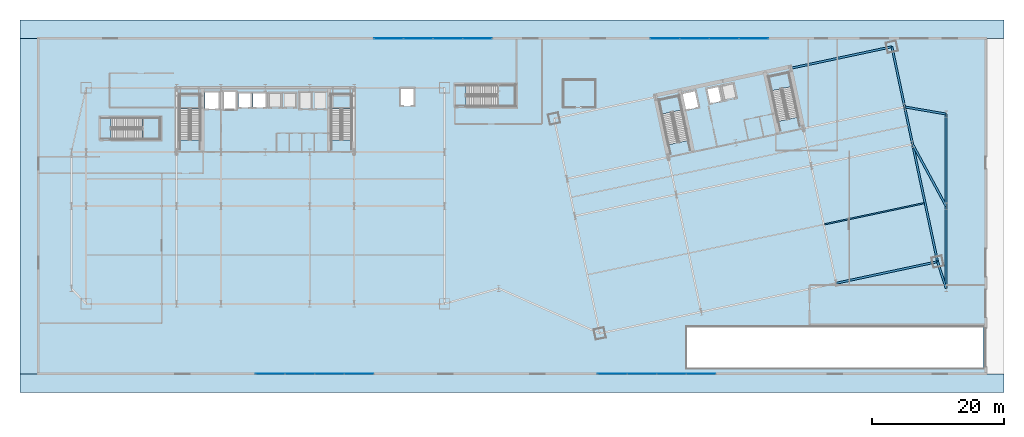
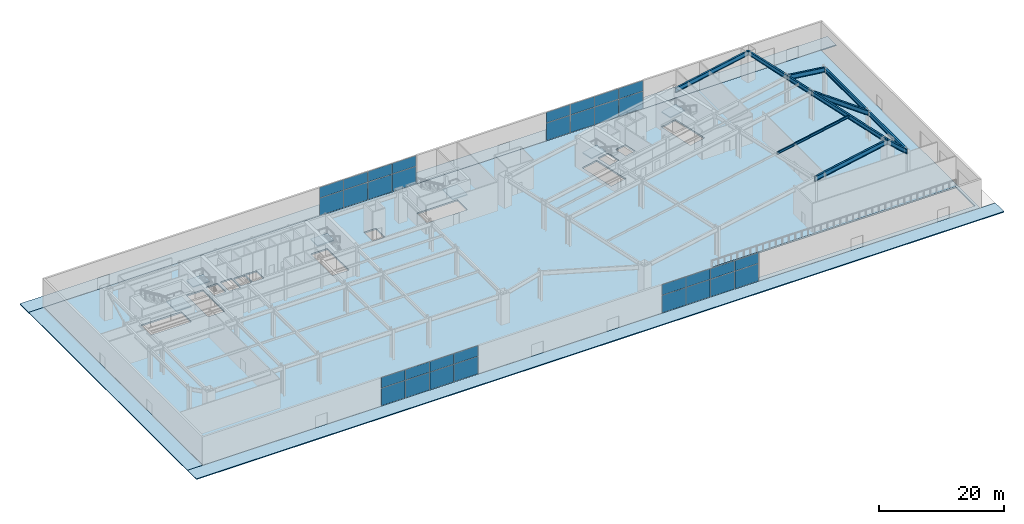
# One storey, part 18 of 30: 32 plates, 11 beams, 10 slabs, 10 elements without a shape of their own.
"""IFC4 building model written with IfcOpenShell, lengths in metres."""

from ifc_helpers import new_model, si_unit, direction, frame, origin, origin_2d, place, context, subcontext, project, spatial, polyline, rectangle, i_section, outline, extrude, material, layer, layer_set, material_profile, profile_set, type_object, element, aggregate, save


model = new_model("IFC4")

# Units and contexts
model_context = context("Model", 3, precision=1e-05, world=origin(), true_north=direction((0.0, 1.0)))
body_context = subcontext(model_context, "Body", "Model", "MODEL_VIEW")
ifc_project = project(units=[si_unit("LENGTHUNIT", "METRE"), si_unit("AREAUNIT", "SQUARE_METRE"), si_unit("VOLUMEUNIT", "CUBIC_METRE"), si_unit("PLANEANGLEUNIT", "RADIAN"), si_unit("MASSUNIT", "GRAM", prefix="KILO")], contexts=[model_context])

# Site, building, storey
site_placement = place(None, origin())
site = spatial("IfcSite", under=ifc_project, at=site_placement, CompositionType="ELEMENT")
building_placement = place(site_placement, origin())
building = spatial("IfcBuilding", under=site, at=building_placement, Name="Haevon Station Towers", CompositionType="ELEMENT")
storey_placement = place(building_placement, origin())
storey = spatial("IfcBuildingStorey", under=building, at=storey_placement, Name="L00", CompositionType="ELEMENT", Elevation=0.0)

# Beams
ifc_material_1 = material(Name="Steel S355", Category="steel")
ifc_material_profile_1 = material_profile(ifc_material_1, i_section(OverallWidth=0.199951171875, OverallDepth=0.449951171875, WebThickness=0.009033203125, FlangeThickness=0.013916015625, at=origin_2d()), Name="H-450x200x9x14")
ifc_profile_set_1 = profile_set([ifc_material_profile_1], Name="Steel S355")
beam_type_1 = type_object("IfcBeamType", Name="BM-J450", PredefinedType="JOIST", material=ifc_profile_set_1)
beam_1_placement = place(storey_placement, frame((122.504150390625, 27.232666015625, 5.47509765625), z_axis=(0.978149141128, 0.207904443699, 0.0), x_axis=(-0.207904443699, 0.978149141128, 0.0)))
element("IfcBeam", 1, at=beam_1_placement, inside=storey, type_object=beam_type_1, Name="BM-T2J-L00-01-03", PredefinedType="JOIST", context=body_context, shape_type="SweptSolid", body=[
    extrude(i_section(OverallWidth=0.199951171875, OverallDepth=0.449951171875, WebThickness=0.009033203125, FlangeThickness=0.013916015625, at=origin_2d()), origin(), (0.0, 0.0, 1.0), 15.530029296875),
])
ifc_material_profile_2 = material_profile(ifc_material_1, i_section(OverallWidth=0.300048828125, OverallDepth=0.800048828125, WebThickness=0.013916015625, FlangeThickness=0.02587890625, at=origin_2d()), Name="H-800x300x14x26")
ifc_profile_set_2 = profile_set([ifc_material_profile_2], Name="Steel S355")
beam_type_2 = type_object("IfcBeamType", Name="BM-PG800", PredefinedType="BEAM", material=ifc_profile_set_2)
beam_2_placement = place(storey_placement, frame((139.699462890625, 21.558837890625, 5.300048828125), z_axis=(-0.207902594577, 0.978149534155, 0.0), x_axis=(-0.978149534155, -0.207902594577, 0.0)))
element("IfcBeam", 2, at=beam_2_placement, inside=storey, type_object=beam_type_2, Name="BM-T2V-L00-05-01", PredefinedType="BEAM", context=body_context, shape_type="SweptSolid", body=[
    extrude(i_section(OverallWidth=0.300048828125, OverallDepth=0.800048828125, WebThickness=0.013916015625, FlangeThickness=0.02587890625, at=origin_2d()), origin(), (0.0, 0.0, 1.0), 18.249755859375),
])
beam_3_placement = place(storey_placement, frame((135.9052734375, 39.409912109375, 5.300048828125), z_axis=(-0.207936282142, 0.978142373363, 0.0), x_axis=(-0.978142373363, -0.207936282142, 0.0)))
element("IfcBeam", 3, at=beam_3_placement, inside=storey, type_object=beam_type_2, Name="BM-T2V-L00-05-02", PredefinedType="BEAM", context=body_context, shape_type="SweptSolid", body=[
    extrude(i_section(OverallWidth=0.300048828125, OverallDepth=0.800048828125, WebThickness=0.013916015625, FlangeThickness=0.02587890625, at=origin_2d()), origin(), (0.0, 0.0, 1.0), 5.800048828125),
])
beam_4_placement = place(storey_placement, frame((134.69921875, 45.083251953125, 5.300048828125), z_axis=(-0.207902477038, 0.978149559138, 0.0), x_axis=(-0.978149559138, -0.207902477038, 0.0)))
element("IfcBeam", 4, at=beam_4_placement, inside=storey, type_object=beam_type_2, Name="BM-T2V-L00-05-03", PredefinedType="BEAM", context=body_context, shape_type="SweptSolid", body=[
    extrude(i_section(OverallWidth=0.300048828125, OverallDepth=0.800048828125, WebThickness=0.013916015625, FlangeThickness=0.02587890625, at=origin_2d()), origin(), (0.0, 0.0, 1.0), 9.349853515625),
])
beam_5_placement = place(storey_placement, frame((141.0, 17.5, 5.300048828125), z_axis=(0.0, 1.0, 0.0), x_axis=(-1.0, 0.0, 0.0)))
element("IfcBeam", 5, at=beam_5_placement, inside=storey, type_object=beam_type_2, Name="BM-PODNS-L00-E1", PredefinedType="BEAM", context=body_context, shape_type="SweptSolid", body=[
    extrude(i_section(OverallWidth=0.300048828125, OverallDepth=0.800048828125, WebThickness=0.013916015625, FlangeThickness=0.02587890625, at=origin_2d()), origin(), (0.0, 0.0, 1.0), 12.5),
])
beam_6_placement = place(storey_placement, frame((141.0, 30.0, 5.300048828125), z_axis=(0.0, 1.0, 0.0), x_axis=(-1.0, 0.0, 0.0)))
element("IfcBeam", 6, at=beam_6_placement, inside=storey, type_object=beam_type_2, Name="BM-PODNS-L00-E2", PredefinedType="BEAM", context=body_context, shape_type="SweptSolid", body=[
    extrude(i_section(OverallWidth=0.300048828125, OverallDepth=0.800048828125, WebThickness=0.013916015625, FlangeThickness=0.02587890625, at=origin_2d()), origin(), (0.0, 0.0, 1.0), 14.0),
])
ifc_material_profile_3 = material_profile(ifc_material_1, i_section(OverallWidth=0.300048828125, OverallDepth=0.89990234375, WebThickness=0.01611328125, FlangeThickness=0.028076171875, at=origin_2d()), Name="H-900x300x16x28")
ifc_profile_set_3 = profile_set([ifc_material_profile_3], Name="Steel S355")
beam_type_3 = type_object("IfcBeamType", Name="BM-PG900", PredefinedType="BEAM", material=ifc_profile_set_3)
beam_7_placement = place(storey_placement, frame((124.293701171875, 18.2841796875, 5.25), z_axis=(0.978146794194, 0.207915485254, 0.0), x_axis=(-0.207915485254, 0.978146794194, 0.0)))
element("IfcBeam", 7, at=beam_7_placement, inside=storey, type_object=beam_type_3, Name="BM-T2U-L00-01-04", PredefinedType="BEAM", context=body_context, shape_type="SweptSolid", body=[
    extrude(i_section(OverallWidth=0.300048828125, OverallDepth=0.89990234375, WebThickness=0.01611328125, FlangeThickness=0.028076171875, at=origin_2d()), origin(), (0.0, 0.0, 1.0), 15.75),
])
beam_8_placement = place(storey_placement, frame((117.349365234375, 50.954345703125, 5.25), z_axis=(0.978150616551, 0.207897502008, 0.0), x_axis=(-0.207897502008, 0.978150616551, 0.0)))
element("IfcBeam", 8, at=beam_8_placement, inside=storey, type_object=beam_type_3, Name="BM-T2U-L00-04-04", PredefinedType="BEAM", context=body_context, shape_type="SweptSolid", body=[
    extrude(i_section(OverallWidth=0.300048828125, OverallDepth=0.89990234375, WebThickness=0.01611328125, FlangeThickness=0.028076171875, at=origin_2d()), origin(), (0.0, 0.0, 1.0), 15.750244140625),
])
beam_9_placement = place(storey_placement, frame((139.699462890625, 21.558837890625, 5.25), z_axis=(0.305139430983, -0.952307685393, 0.0), x_axis=(0.952307685393, 0.305139430983, 0.0)))
element("IfcBeam", 9, at=beam_9_placement, inside=storey, type_object=beam_type_3, Name="BM-PODE-L00-1", PredefinedType="BEAM", context=body_context, shape_type="SweptSolid", body=[
    extrude(i_section(OverallWidth=0.300048828125, OverallDepth=0.89990234375, WebThickness=0.01611328125, FlangeThickness=0.028076171875, at=origin_2d()), origin(), (0.0, 0.0, 1.0), 4.26220703125),
])
beam_10_placement = place(storey_placement, frame((135.9052734375, 39.409912109375, 5.25), z_axis=(0.476116295025, -0.879382325051, 0.0), x_axis=(0.879382325051, 0.476116295025, 0.0)))
element("IfcBeam", 10, at=beam_10_placement, inside=storey, type_object=beam_type_3, Name="BM-PODE-L00-2", PredefinedType="BEAM", context=body_context, shape_type="SweptSolid", body=[
    extrude(i_section(OverallWidth=0.300048828125, OverallDepth=0.89990234375, WebThickness=0.01611328125, FlangeThickness=0.028076171875, at=origin_2d()), origin(), (0.0, 0.0, 1.0), 10.70068359375),
])
beam_11_placement = place(storey_placement, frame((134.69921875, 45.083251953125, 5.25), z_axis=(0.985540920751, -0.169437580028, 0.0), x_axis=(0.169437580028, 0.985540920751, 0.0)))
element("IfcBeam", 11, at=beam_11_placement, inside=storey, type_object=beam_type_3, Name="BM-PODE-L00-3", PredefinedType="BEAM", context=body_context, shape_type="SweptSolid", body=[
    extrude(i_section(OverallWidth=0.300048828125, OverallDepth=0.89990234375, WebThickness=0.01611328125, FlangeThickness=0.028076171875, at=origin_2d()), origin(), (0.0, 0.0, 1.0), 6.393310546875),
])

# Curtain wall, plates
ifc_material_2 = material(Name="Anodised aluminium and Low-E double glazing", Category="aluminium")
ifc_layer_1 = layer(ifc_material_2, 0.179931640625)
ifc_layer_set_1 = layer_set([ifc_layer_1], Name="Anodised aluminium and Low-E double glazing")
curtain_wall_type = type_object("IfcCurtainWallType", Name="CW-SYS1", PredefinedType="NOTDEFINED", material=ifc_layer_set_1)
curtain_wall_1_placement = place(storey_placement, origin())
curtain_wall_1 = element("IfcCurtainWall", 12, at=curtain_wall_1_placement, inside=storey, type_object=curtain_wall_type, Name="L00 Curtain Wall CW-POD-L00-S1", PredefinedType="NOTDEFINED")
ifc_material_3 = material(Name="Laminated acoustic double glazing", Category="glass")
ifc_layer_2 = layer(ifc_material_3, 0.031982421875)
ifc_layer_set_2 = layer_set([ifc_layer_2], Name="Laminated acoustic double glazing")
plate_type = type_object("IfcPlateType", Name="CWP-GLZ32", PredefinedType="CURTAIN_PANEL", material=ifc_layer_set_2)
plate_1_placement = place(storey_placement, frame((103.733642578125, 4.5, 0.06494140625), z_axis=(0.0, 0.0, 1.0), x_axis=(-1.0, 0.0, 0.0)))
plate_1 = element("IfcPlate", 13, at=plate_1_placement, type_object=plate_type, Name="CW-SYS1 panel 1.1", PredefinedType="CURTAIN_PANEL", context=body_context, shape_type="SweptSolid", body=[
    extrude(rectangle(XDim=4.402587890625, YDim=0.031982421875, at=origin_2d()), origin(), (0.0, 0.0, 1.0), 3.405517578125),
])
plate_2_placement = place(storey_placement, frame((103.733642578125, 4.5, 3.53564453125), z_axis=(0.0, 0.0, 1.0), x_axis=(-1.0, 0.0, 0.0)))
plate_2 = element("IfcPlate", 14, at=plate_2_placement, type_object=plate_type, Name="CW-SYS1 panel 1.2", PredefinedType="CURTAIN_PANEL", context=body_context, shape_type="SweptSolid", body=[
    extrude(rectangle(XDim=4.402587890625, YDim=0.031982421875, at=origin_2d()), origin(), (0.0, 0.0, 1.0), 2.049560546875),
])
plate_3_placement = place(storey_placement, frame((99.25, 4.5, 0.06494140625), z_axis=(0.0, 0.0, 1.0), x_axis=(-1.0, 0.0, 0.0)))
plate_3 = element("IfcPlate", 15, at=plate_3_placement, type_object=plate_type, Name="CW-SYS1 panel 2.1", PredefinedType="CURTAIN_PANEL", context=body_context, shape_type="SweptSolid", body=[
    extrude(rectangle(XDim=4.43505859375, YDim=0.031982421875, at=origin_2d()), origin(), (0.0, 0.0, 1.0), 3.405517578125),
])
plate_4_placement = place(storey_placement, frame((99.25, 4.5, 3.53564453125), z_axis=(0.0, 0.0, 1.0), x_axis=(-1.0, 0.0, 0.0)))
plate_4 = element("IfcPlate", 16, at=plate_4_placement, type_object=plate_type, Name="CW-SYS1 panel 2.2", PredefinedType="CURTAIN_PANEL", context=body_context, shape_type="SweptSolid", body=[
    extrude(rectangle(XDim=4.43505859375, YDim=0.031982421875, at=origin_2d()), origin(), (0.0, 0.0, 1.0), 2.049560546875),
])
plate_5_placement = place(storey_placement, frame((94.75, 4.5, 0.06494140625), z_axis=(0.0, 0.0, 1.0), x_axis=(-1.0, 0.0, 0.0)))
plate_5 = element("IfcPlate", 17, at=plate_5_placement, type_object=plate_type, Name="CW-SYS1 panel 3.1", PredefinedType="CURTAIN_PANEL", context=body_context, shape_type="SweptSolid", body=[
    extrude(rectangle(XDim=4.43505859375, YDim=0.031982421875, at=origin_2d()), origin(), (0.0, 0.0, 1.0), 3.405517578125),
])
plate_6_placement = place(storey_placement, frame((94.75, 4.5, 3.53564453125), z_axis=(0.0, 0.0, 1.0), x_axis=(-1.0, 0.0, 0.0)))
plate_6 = element("IfcPlate", 18, at=plate_6_placement, type_object=plate_type, Name="CW-SYS1 panel 3.2", PredefinedType="CURTAIN_PANEL", context=body_context, shape_type="SweptSolid", body=[
    extrude(rectangle(XDim=4.43505859375, YDim=0.031982421875, at=origin_2d()), origin(), (0.0, 0.0, 1.0), 2.049560546875),
])
plate_7_placement = place(storey_placement, frame((90.266357421875, 4.5, 0.06494140625), z_axis=(0.0, 0.0, 1.0), x_axis=(-1.0, 0.0, 0.0)))
plate_7 = element("IfcPlate", 19, at=plate_7_placement, type_object=plate_type, Name="CW-SYS1 panel 4.1", PredefinedType="CURTAIN_PANEL", context=body_context, shape_type="SweptSolid", body=[
    extrude(rectangle(XDim=4.402587890625, YDim=0.031982421875, at=origin_2d()), origin(), (0.0, 0.0, 1.0), 3.405517578125),
])
plate_8_placement = place(storey_placement, frame((90.266357421875, 4.5, 3.53564453125), z_axis=(0.0, 0.0, 1.0), x_axis=(-1.0, 0.0, 0.0)))
plate_8 = element("IfcPlate", 20, at=plate_8_placement, type_object=plate_type, Name="CW-SYS1 panel 4.2", PredefinedType="CURTAIN_PANEL", context=body_context, shape_type="SweptSolid", body=[
    extrude(rectangle(XDim=4.402587890625, YDim=0.031982421875, at=origin_2d()), origin(), (0.0, 0.0, 1.0), 2.049560546875),
])
aggregate(curtain_wall_1, [plate_1, plate_2, plate_3, plate_4, plate_5, plate_6, plate_7, plate_8])

curtain_wall_2_placement = place(storey_placement, origin())
curtain_wall_2 = element("IfcCurtainWall", 21, at=curtain_wall_2_placement, inside=storey, type_object=curtain_wall_type, Name="L00 Curtain Wall CW-POD-L00-S2", PredefinedType="NOTDEFINED")
plate_9_placement = place(storey_placement, frame((51.733642578125, 4.5, 0.06494140625), z_axis=(0.0, 0.0, 1.0), x_axis=(-1.0, 0.0, 0.0)))
plate_9 = element("IfcPlate", 22, at=plate_9_placement, type_object=plate_type, Name="CW-SYS1 panel 1.1", PredefinedType="CURTAIN_PANEL", context=body_context, shape_type="SweptSolid", body=[
    extrude(rectangle(XDim=4.402587890625, YDim=0.031982421875, at=origin_2d()), origin(), (0.0, 0.0, 1.0), 3.405517578125),
])
plate_10_placement = place(storey_placement, frame((51.733642578125, 4.5, 3.53564453125), z_axis=(0.0, 0.0, 1.0), x_axis=(-1.0, 0.0, 0.0)))
plate_10 = element("IfcPlate", 23, at=plate_10_placement, type_object=plate_type, Name="CW-SYS1 panel 1.2", PredefinedType="CURTAIN_PANEL", context=body_context, shape_type="SweptSolid", body=[
    extrude(rectangle(XDim=4.402587890625, YDim=0.031982421875, at=origin_2d()), origin(), (0.0, 0.0, 1.0), 2.049560546875),
])
plate_11_placement = place(storey_placement, frame((47.25, 4.5, 0.06494140625), z_axis=(0.0, 0.0, 1.0), x_axis=(-1.0, 0.0, 0.0)))
plate_11 = element("IfcPlate", 24, at=plate_11_placement, type_object=plate_type, Name="CW-SYS1 panel 2.1", PredefinedType="CURTAIN_PANEL", context=body_context, shape_type="SweptSolid", body=[
    extrude(rectangle(XDim=4.43505859375, YDim=0.031982421875, at=origin_2d()), origin(), (0.0, 0.0, 1.0), 3.405517578125),
])
plate_12_placement = place(storey_placement, frame((47.25, 4.5, 3.53564453125), z_axis=(0.0, 0.0, 1.0), x_axis=(-1.0, 0.0, 0.0)))
plate_12 = element("IfcPlate", 25, at=plate_12_placement, type_object=plate_type, Name="CW-SYS1 panel 2.2", PredefinedType="CURTAIN_PANEL", context=body_context, shape_type="SweptSolid", body=[
    extrude(rectangle(XDim=4.43505859375, YDim=0.031982421875, at=origin_2d()), origin(), (0.0, 0.0, 1.0), 2.049560546875),
])
plate_13_placement = place(storey_placement, frame((42.75, 4.5, 0.06494140625), z_axis=(0.0, 0.0, 1.0), x_axis=(-1.0, 0.0, 0.0)))
plate_13 = element("IfcPlate", 26, at=plate_13_placement, type_object=plate_type, Name="CW-SYS1 panel 3.1", PredefinedType="CURTAIN_PANEL", context=body_context, shape_type="SweptSolid", body=[
    extrude(rectangle(XDim=4.43505859375, YDim=0.031982421875, at=origin_2d()), origin(), (0.0, 0.0, 1.0), 3.405517578125),
])
plate_14_placement = place(storey_placement, frame((42.75, 4.5, 3.53564453125), z_axis=(0.0, 0.0, 1.0), x_axis=(-1.0, 0.0, 0.0)))
plate_14 = element("IfcPlate", 27, at=plate_14_placement, type_object=plate_type, Name="CW-SYS1 panel 3.2", PredefinedType="CURTAIN_PANEL", context=body_context, shape_type="SweptSolid", body=[
    extrude(rectangle(XDim=4.43505859375, YDim=0.031982421875, at=origin_2d()), origin(), (0.0, 0.0, 1.0), 2.049560546875),
])
plate_15_placement = place(storey_placement, frame((38.266357421875, 4.5, 0.06494140625), z_axis=(0.0, 0.0, 1.0), x_axis=(-1.0, 0.0, 0.0)))
plate_15 = element("IfcPlate", 28, at=plate_15_placement, type_object=plate_type, Name="CW-SYS1 panel 4.1", PredefinedType="CURTAIN_PANEL", context=body_context, shape_type="SweptSolid", body=[
    extrude(rectangle(XDim=4.402587890625, YDim=0.031982421875, at=origin_2d()), origin(), (0.0, 0.0, 1.0), 3.405517578125),
])
plate_16_placement = place(storey_placement, frame((38.266357421875, 4.5, 3.53564453125), z_axis=(0.0, 0.0, 1.0), x_axis=(-1.0, 0.0, 0.0)))
plate_16 = element("IfcPlate", 29, at=plate_16_placement, type_object=plate_type, Name="CW-SYS1 panel 4.2", PredefinedType="CURTAIN_PANEL", context=body_context, shape_type="SweptSolid", body=[
    extrude(rectangle(XDim=4.402587890625, YDim=0.031982421875, at=origin_2d()), origin(), (0.0, 0.0, 1.0), 2.049560546875),
])
aggregate(curtain_wall_2, [plate_9, plate_10, plate_11, plate_12, plate_13, plate_14, plate_15, plate_16])

curtain_wall_3_placement = place(storey_placement, origin())
curtain_wall_3 = element("IfcCurtainWall", 30, at=curtain_wall_3_placement, inside=storey, type_object=curtain_wall_type, Name="L00 Curtain Wall CW-POD-L00-N1", PredefinedType="NOTDEFINED")
plate_17_placement = place(storey_placement, frame((56.266357421875, 55.5, 0.06494140625), z_axis=(0.0, 0.0, 1.0), x_axis=(1.0, 0.0, 0.0)))
plate_17 = element("IfcPlate", 31, at=plate_17_placement, type_object=plate_type, Name="CW-SYS1 panel 1.1", PredefinedType="CURTAIN_PANEL", context=body_context, shape_type="SweptSolid", body=[
    extrude(rectangle(XDim=4.402587890625, YDim=0.031982421875, at=origin_2d()), origin(), (0.0, 0.0, 1.0), 3.405517578125),
])
plate_18_placement = place(storey_placement, frame((56.266357421875, 55.5, 3.53564453125), z_axis=(0.0, 0.0, 1.0), x_axis=(1.0, 0.0, 0.0)))
plate_18 = element("IfcPlate", 32, at=plate_18_placement, type_object=plate_type, Name="CW-SYS1 panel 1.2", PredefinedType="CURTAIN_PANEL", context=body_context, shape_type="SweptSolid", body=[
    extrude(rectangle(XDim=4.402587890625, YDim=0.031982421875, at=origin_2d()), origin(), (0.0, 0.0, 1.0), 2.049560546875),
])
plate_19_placement = place(storey_placement, frame((60.75, 55.5, 0.06494140625), z_axis=(0.0, 0.0, 1.0), x_axis=(1.0, 0.0, 0.0)))
plate_19 = element("IfcPlate", 33, at=plate_19_placement, type_object=plate_type, Name="CW-SYS1 panel 2.1", PredefinedType="CURTAIN_PANEL", context=body_context, shape_type="SweptSolid", body=[
    extrude(rectangle(XDim=4.43505859375, YDim=0.031982421875, at=origin_2d()), origin(), (0.0, 0.0, 1.0), 3.405517578125),
])
plate_20_placement = place(storey_placement, frame((60.75, 55.5, 3.53564453125), z_axis=(0.0, 0.0, 1.0), x_axis=(1.0, 0.0, 0.0)))
plate_20 = element("IfcPlate", 34, at=plate_20_placement, type_object=plate_type, Name="CW-SYS1 panel 2.2", PredefinedType="CURTAIN_PANEL", context=body_context, shape_type="SweptSolid", body=[
    extrude(rectangle(XDim=4.43505859375, YDim=0.031982421875, at=origin_2d()), origin(), (0.0, 0.0, 1.0), 2.049560546875),
])
plate_21_placement = place(storey_placement, frame((65.25, 55.5, 0.06494140625), z_axis=(0.0, 0.0, 1.0), x_axis=(1.0, 0.0, 0.0)))
plate_21 = element("IfcPlate", 35, at=plate_21_placement, type_object=plate_type, Name="CW-SYS1 panel 3.1", PredefinedType="CURTAIN_PANEL", context=body_context, shape_type="SweptSolid", body=[
    extrude(rectangle(XDim=4.43505859375, YDim=0.031982421875, at=origin_2d()), origin(), (0.0, 0.0, 1.0), 3.405517578125),
])
plate_22_placement = place(storey_placement, frame((65.25, 55.5, 3.53564453125), z_axis=(0.0, 0.0, 1.0), x_axis=(1.0, 0.0, 0.0)))
plate_22 = element("IfcPlate", 36, at=plate_22_placement, type_object=plate_type, Name="CW-SYS1 panel 3.2", PredefinedType="CURTAIN_PANEL", context=body_context, shape_type="SweptSolid", body=[
    extrude(rectangle(XDim=4.43505859375, YDim=0.031982421875, at=origin_2d()), origin(), (0.0, 0.0, 1.0), 2.049560546875),
])
plate_23_placement = place(storey_placement, frame((69.733642578125, 55.5, 0.06494140625), z_axis=(0.0, 0.0, 1.0), x_axis=(1.0, 0.0, 0.0)))
plate_23 = element("IfcPlate", 37, at=plate_23_placement, type_object=plate_type, Name="CW-SYS1 panel 4.1", PredefinedType="CURTAIN_PANEL", context=body_context, shape_type="SweptSolid", body=[
    extrude(rectangle(XDim=4.402587890625, YDim=0.031982421875, at=origin_2d()), origin(), (0.0, 0.0, 1.0), 3.405517578125),
])
plate_24_placement = place(storey_placement, frame((69.733642578125, 55.5, 3.53564453125), z_axis=(0.0, 0.0, 1.0), x_axis=(1.0, 0.0, 0.0)))
plate_24 = element("IfcPlate", 38, at=plate_24_placement, type_object=plate_type, Name="CW-SYS1 panel 4.2", PredefinedType="CURTAIN_PANEL", context=body_context, shape_type="SweptSolid", body=[
    extrude(rectangle(XDim=4.402587890625, YDim=0.031982421875, at=origin_2d()), origin(), (0.0, 0.0, 1.0), 2.049560546875),
])
aggregate(curtain_wall_3, [plate_17, plate_18, plate_19, plate_20, plate_21, plate_22, plate_23, plate_24])

curtain_wall_4_placement = place(storey_placement, origin())
curtain_wall_4 = element("IfcCurtainWall", 39, at=curtain_wall_4_placement, inside=storey, type_object=curtain_wall_type, Name="L00 Curtain Wall CW-POD-L00-N2", PredefinedType="NOTDEFINED")
plate_25_placement = place(storey_placement, frame((98.266357421875, 55.5, 0.06494140625), z_axis=(0.0, 0.0, 1.0), x_axis=(1.0, 0.0, 0.0)))
plate_25 = element("IfcPlate", 40, at=plate_25_placement, type_object=plate_type, Name="CW-SYS1 panel 1.1", PredefinedType="CURTAIN_PANEL", context=body_context, shape_type="SweptSolid", body=[
    extrude(rectangle(XDim=4.402587890625, YDim=0.031982421875, at=origin_2d()), origin(), (0.0, 0.0, 1.0), 3.405517578125),
])
plate_26_placement = place(storey_placement, frame((98.266357421875, 55.5, 3.53564453125), z_axis=(0.0, 0.0, 1.0), x_axis=(1.0, 0.0, 0.0)))
plate_26 = element("IfcPlate", 41, at=plate_26_placement, type_object=plate_type, Name="CW-SYS1 panel 1.2", PredefinedType="CURTAIN_PANEL", context=body_context, shape_type="SweptSolid", body=[
    extrude(rectangle(XDim=4.402587890625, YDim=0.031982421875, at=origin_2d()), origin(), (0.0, 0.0, 1.0), 2.049560546875),
])
plate_27_placement = place(storey_placement, frame((102.75, 55.5, 0.06494140625), z_axis=(0.0, 0.0, 1.0), x_axis=(1.0, 0.0, 0.0)))
plate_27 = element("IfcPlate", 42, at=plate_27_placement, type_object=plate_type, Name="CW-SYS1 panel 2.1", PredefinedType="CURTAIN_PANEL", context=body_context, shape_type="SweptSolid", body=[
    extrude(rectangle(XDim=4.43505859375, YDim=0.031982421875, at=origin_2d()), origin(), (0.0, 0.0, 1.0), 3.405517578125),
])
plate_28_placement = place(storey_placement, frame((102.75, 55.5, 3.53564453125), z_axis=(0.0, 0.0, 1.0), x_axis=(1.0, 0.0, 0.0)))
plate_28 = element("IfcPlate", 43, at=plate_28_placement, type_object=plate_type, Name="CW-SYS1 panel 2.2", PredefinedType="CURTAIN_PANEL", context=body_context, shape_type="SweptSolid", body=[
    extrude(rectangle(XDim=4.43505859375, YDim=0.031982421875, at=origin_2d()), origin(), (0.0, 0.0, 1.0), 2.049560546875),
])
plate_29_placement = place(storey_placement, frame((107.25, 55.5, 0.06494140625), z_axis=(0.0, 0.0, 1.0), x_axis=(1.0, 0.0, 0.0)))
plate_29 = element("IfcPlate", 44, at=plate_29_placement, type_object=plate_type, Name="CW-SYS1 panel 3.1", PredefinedType="CURTAIN_PANEL", context=body_context, shape_type="SweptSolid", body=[
    extrude(rectangle(XDim=4.43505859375, YDim=0.031982421875, at=origin_2d()), origin(), (0.0, 0.0, 1.0), 3.405517578125),
])
plate_30_placement = place(storey_placement, frame((107.25, 55.5, 3.53564453125), z_axis=(0.0, 0.0, 1.0), x_axis=(1.0, 0.0, 0.0)))
plate_30 = element("IfcPlate", 45, at=plate_30_placement, type_object=plate_type, Name="CW-SYS1 panel 3.2", PredefinedType="CURTAIN_PANEL", context=body_context, shape_type="SweptSolid", body=[
    extrude(rectangle(XDim=4.43505859375, YDim=0.031982421875, at=origin_2d()), origin(), (0.0, 0.0, 1.0), 2.049560546875),
])
plate_31_placement = place(storey_placement, frame((111.733642578125, 55.5, 0.06494140625), z_axis=(0.0, 0.0, 1.0), x_axis=(1.0, 0.0, 0.0)))
plate_31 = element("IfcPlate", 46, at=plate_31_placement, type_object=plate_type, Name="CW-SYS1 panel 4.1", PredefinedType="CURTAIN_PANEL", context=body_context, shape_type="SweptSolid", body=[
    extrude(rectangle(XDim=4.402587890625, YDim=0.031982421875, at=origin_2d()), origin(), (0.0, 0.0, 1.0), 3.405517578125),
])
plate_32_placement = place(storey_placement, frame((111.733642578125, 55.5, 3.53564453125), z_axis=(0.0, 0.0, 1.0), x_axis=(1.0, 0.0, 0.0)))
plate_32 = element("IfcPlate", 47, at=plate_32_placement, type_object=plate_type, Name="CW-SYS1 panel 4.2", PredefinedType="CURTAIN_PANEL", context=body_context, shape_type="SweptSolid", body=[
    extrude(rectangle(XDim=4.402587890625, YDim=0.031982421875, at=origin_2d()), origin(), (0.0, 0.0, 1.0), 2.049560546875),
])
aggregate(curtain_wall_4, [plate_25, plate_26, plate_27, plate_28, plate_29, plate_30, plate_31, plate_32])

# Stair, slab
ifc_material_4 = material(Name="Concrete C40/50", Category="concrete")
stair_type_1 = type_object("IfcStairType", Name="STR-DL1450", PredefinedType="USERDEFINED", material=ifc_material_4)
stair_1_placement = place(storey_placement, origin())
stair_1 = element("IfcStair", 48, at=stair_1_placement, inside=storey, type_object=stair_type_1, Name="L00 Escape Stair ST1", ObjectType="TWO_RETURN_STAIR", PredefinedType="USERDEFINED")
ifc_layer_3 = layer(ifc_material_4, 0.199951171875)
ifc_layer_set_3 = layer_set([ifc_layer_3], Name="Concrete C40/50")
slab_type_1 = type_object("IfcSlabType", Name="SL-LND200", PredefinedType="LANDING", material=ifc_layer_set_3)
slab_1_placement = place(storey_placement, frame((0.0, 0.0, 2.800048828125)))
slab_1 = element("IfcSlab", 49, at=slab_1_placement, type_object=slab_type_1, Name="L00 ST1 Half Landing 1", PredefinedType="LANDING", context=body_context, shape_type="SweptSolid", body=[
    extrude(outline(polyline([(27.580078125, 44.803955078125), (27.580078125, 47.0), (24.47998046875, 47.0), (24.47998046875, 44.803955078125), (27.580078125, 44.803955078125)])), origin(), (0.0, 0.0, 1.0), 0.199951171875),
])
aggregate(stair_1, [slab_1])

stair_2_placement = place(storey_placement, origin())
stair_2 = element("IfcStair", 50, at=stair_2_placement, inside=storey, type_object=stair_type_1, Name="L00 Escape Stair ST2", ObjectType="TWO_RETURN_STAIR", PredefinedType="USERDEFINED")
slab_2_placement = place(storey_placement, frame((0.0, 0.0, 2.800048828125)))
slab_2 = element("IfcSlab", 51, at=slab_2_placement, type_object=slab_type_1, Name="L00 ST2 Half Landing 1", PredefinedType="LANDING", context=body_context, shape_type="SweptSolid", body=[
    extrude(outline(polyline([(50.6201171875, 44.803955078125), (50.6201171875, 47.0), (47.52001953125, 47.0), (47.52001953125, 44.803955078125), (50.6201171875, 44.803955078125)])), origin(), (0.0, 0.0, 1.0), 0.199951171875),
])
aggregate(stair_2, [slab_2])

stair_3_placement = place(storey_placement, origin())
stair_3 = element("IfcStair", 52, at=stair_3_placement, inside=storey, type_object=stair_type_1, Name="L00 Escape Stair ST3", ObjectType="TWO_RETURN_STAIR", PredefinedType="USERDEFINED")
slab_3_placement = place(storey_placement, frame((0.0, 0.0, 2.800048828125)))
slab_3 = element("IfcSlab", 53, at=slab_3_placement, type_object=slab_type_1, Name="L00 ST3 Half Landing 1", PredefinedType="LANDING", context=body_context, shape_type="SweptSolid", body=[
    extrude(outline(polyline([(100.822265625, 44.634033203125), (100.36572265625, 46.781982421875), (97.33349609375, 46.137451171875), (97.7900390625, 43.989501953125), (100.822265625, 44.634033203125)])), origin(), (0.0, 0.0, 1.0), 0.199951171875),
])
aggregate(stair_3, [slab_3])

stair_4_placement = place(storey_placement, origin())
stair_4 = element("IfcStair", 54, at=stair_4_placement, inside=storey, type_object=stair_type_1, Name="L00 Escape Stair ST4", ObjectType="TWO_RETURN_STAIR", PredefinedType="USERDEFINED")
slab_4_placement = place(storey_placement, frame((0.0, 0.0, 2.800048828125)))
slab_4 = element("IfcSlab", 55, at=slab_4_placement, type_object=slab_type_1, Name="L00 ST4 Half Landing 1", PredefinedType="LANDING", context=body_context, shape_type="SweptSolid", body=[
    extrude(outline(polyline([(117.509521484375, 48.180908203125), (117.052978515625, 50.328857421875), (114.020751953125, 49.684326171875), (114.477294921875, 47.536376953125), (117.509521484375, 48.180908203125)])), origin(), (0.0, 0.0, 1.0), 0.199951171875),
])
aggregate(stair_4, [slab_4])

stair_type_2 = type_object("IfcStairType", Name="STR-DL1500", PredefinedType="USERDEFINED", material=ifc_material_4)
stair_5_placement = place(storey_placement, origin())
stair_5 = element("IfcStair", 56, at=stair_5_placement, inside=storey, type_object=stair_type_2, Name="L00 Escape Stair ST5", ObjectType="TWO_RETURN_STAIR", PredefinedType="USERDEFINED")
slab_5_placement = place(storey_placement, frame((0.0, 0.0, 2.800048828125)))
slab_5 = element("IfcSlab", 57, at=slab_5_placement, type_object=slab_type_1, Name="L00 ST5 Half Landing 1", PredefinedType="LANDING", context=body_context, shape_type="SweptSolid", body=[
    extrude(outline(polyline([(18.75390625, 40.199951171875), (21.5, 40.199951171875), (21.5, 43.39990234375), (18.75390625, 43.39990234375), (18.75390625, 40.199951171875)])), origin(), (0.0, 0.0, 1.0), 0.199951171875),
])
aggregate(stair_5, [slab_5])

stair_6_placement = place(storey_placement, origin())
stair_6 = element("IfcStair", 58, at=stair_6_placement, inside=storey, type_object=stair_type_2, Name="L00 Escape Stair ST6", ObjectType="TWO_RETURN_STAIR", PredefinedType="USERDEFINED")
slab_6_placement = place(storey_placement, frame((0.0, 0.0, 2.800048828125)))
slab_6 = element("IfcSlab", 59, at=slab_6_placement, type_object=slab_type_1, Name="L00 ST6 Half Landing 1", PredefinedType="LANDING", context=body_context, shape_type="SweptSolid", body=[
    extrude(outline(polyline([(72.75390625, 45.199951171875), (75.5, 45.199951171875), (75.5, 48.39990234375), (72.75390625, 48.39990234375), (72.75390625, 45.199951171875)])), origin(), (0.0, 0.0, 1.0), 0.199951171875),
])
aggregate(stair_6, [slab_6])

# Slabs
ifc_layer_4 = layer(ifc_material_4, 0.179931640625)
ifc_layer_set_4 = layer_set([ifc_layer_4], Name="Concrete C40/50")
slab_type_2 = type_object("IfcSlabType", Name="SL-PAV180", PredefinedType="FLOOR", material=ifc_layer_set_4)
slab_7_placement = place(storey_placement, frame((0.0, 0.0, -0.179931640625)))
element("IfcSlab", 60, at=slab_7_placement, inside=storey, type_object=slab_type_2, Name="L00 Outdoor Terrace PLAZA-SOUTH", PredefinedType="FLOOR", context=body_context, shape_type="SweptSolid", body=[
    extrude(outline(polyline([(0.199951171875, 1.699951171875), (149.800048828125, 1.699951171875), (149.800048828125, 4.4951171875), (0.199951171875, 4.4951171875), (0.199951171875, 1.699951171875)])), origin(), (0.0, 0.0, 1.0), 0.179931640625),
])
slab_8_placement = place(storey_placement, frame((0.0, 0.0, -0.179931640625)))
element("IfcSlab", 61, at=slab_8_placement, inside=storey, type_object=slab_type_2, Name="L00 Outdoor Terrace PLAZA-NORTH", PredefinedType="FLOOR", context=body_context, shape_type="SweptSolid", body=[
    extrude(outline(polyline([(0.199951171875, 55.5048828125), (149.800048828125, 55.5048828125), (149.800048828125, 58.300048828125), (0.199951171875, 58.300048828125), (0.199951171875, 55.5048828125)])), origin(), (0.0, 0.0, 1.0), 0.179931640625),
])
slab_9_placement = place(storey_placement, frame((0.0, 0.0, -0.179931640625)))
element("IfcSlab", 62, at=slab_9_placement, inside=storey, type_object=slab_type_2, Name="L00 Outdoor Terrace PLAZA-WEST", PredefinedType="FLOOR", context=body_context, shape_type="SweptSolid", body=[
    extrude(outline(polyline([(0.199951171875, 4.5), (2.9951171875, 4.5), (2.9951171875, 55.5), (0.199951171875, 55.5), (0.199951171875, 4.5)])), origin(), (0.0, 0.0, 1.0), 0.179931640625),
])
ifc_layer_5 = layer(ifc_material_4, 0.300048828125)
ifc_layer_set_5 = layer_set([ifc_layer_5], Name="Concrete C40/50")
slab_type_3 = type_object("IfcSlabType", Name="SL-POD300", PredefinedType="FLOOR", material=ifc_layer_set_5)
slab_10_placement = place(storey_placement, frame((0.0, 0.0, -0.300048828125)))
element("IfcSlab", 63, at=slab_10_placement, inside=storey, type_object=slab_type_3, Name="SL-POD-L00", PredefinedType="FLOOR", context=body_context, shape_type="SweptSolid", body=[
    extrude(outline(polyline([(3.0, 4.5), (147.0, 4.5), (147.0, 55.5), (3.0, 55.5), (3.0, 4.5)]), holes=[polyline([(101.60009765625, 5.39990234375), (146.60009765625, 5.39990234375), (146.60009765625, 11.60009765625), (101.60009765625, 11.60009765625), (101.60009765625, 5.39990234375)]), polyline([(27.580078125, 40.055908203125), (27.580078125, 47.0), (24.47998046875, 47.0), (24.47998046875, 40.055908203125), (27.580078125, 40.055908203125)]), polyline([(50.6201171875, 40.055908203125), (50.6201171875, 47.0), (47.52001953125, 47.0), (47.52001953125, 40.055908203125), (50.6201171875, 40.055908203125)]), polyline([(101.8095703125, 39.98974609375), (100.36572265625, 46.781982421875), (97.33349609375, 46.137451171875), (98.77734375, 39.34521484375), (101.8095703125, 39.98974609375)]), polyline([(118.496826171875, 43.53662109375), (117.052978515625, 50.328857421875), (114.020751953125, 49.684326171875), (115.464599609375, 42.89208984375), (118.496826171875, 43.53662109375)]), polyline([(14.006103515625, 40.199951171875), (21.5, 40.199951171875), (21.5, 43.39990234375), (14.006103515625, 43.39990234375), (14.006103515625, 40.199951171875)]), polyline([(68.006103515625, 45.199951171875), (75.5, 45.199951171875), (75.5, 48.39990234375), (68.006103515625, 48.39990234375), (68.006103515625, 45.199951171875)]), polyline([(28.300048828125, 44.699951171875), (30.5, 44.699951171875), (30.5, 47.39990234375), (28.300048828125, 47.39990234375), (28.300048828125, 44.699951171875)]), polyline([(101.43212890625, 44.554931640625), (103.486328125, 44.99169921875), (102.9248046875, 47.632568359375), (100.870849609375, 47.196044921875), (101.43212890625, 44.554931640625)]), polyline([(31.050048828125, 44.60009765625), (33.14990234375, 44.60009765625), (33.14990234375, 47.5), (31.050048828125, 47.5), (31.050048828125, 44.60009765625)]), polyline([(33.39990234375, 44.89990234375), (35.39990234375, 44.89990234375), (35.39990234375, 47.300048828125), (33.39990234375, 47.300048828125), (33.39990234375, 44.89990234375)]), polyline([(35.64990234375, 44.89990234375), (37.64990234375, 44.89990234375), (37.64990234375, 47.300048828125), (35.64990234375, 47.300048828125), (35.64990234375, 44.89990234375)]), polyline([(105.009765625, 45.519775390625), (106.966064453125, 45.935791015625), (106.467041015625, 48.283203125), (104.5107421875, 47.867431640625), (105.009765625, 45.519775390625)]), polyline([(58.0, 45.199951171875), (60.199951171875, 45.199951171875), (60.199951171875, 48.0), (58.0, 48.0), (58.0, 45.199951171875)])]), origin(), (0.0, 0.0, 1.0), 0.300048828125),
])

save(model, "model.ifc")
